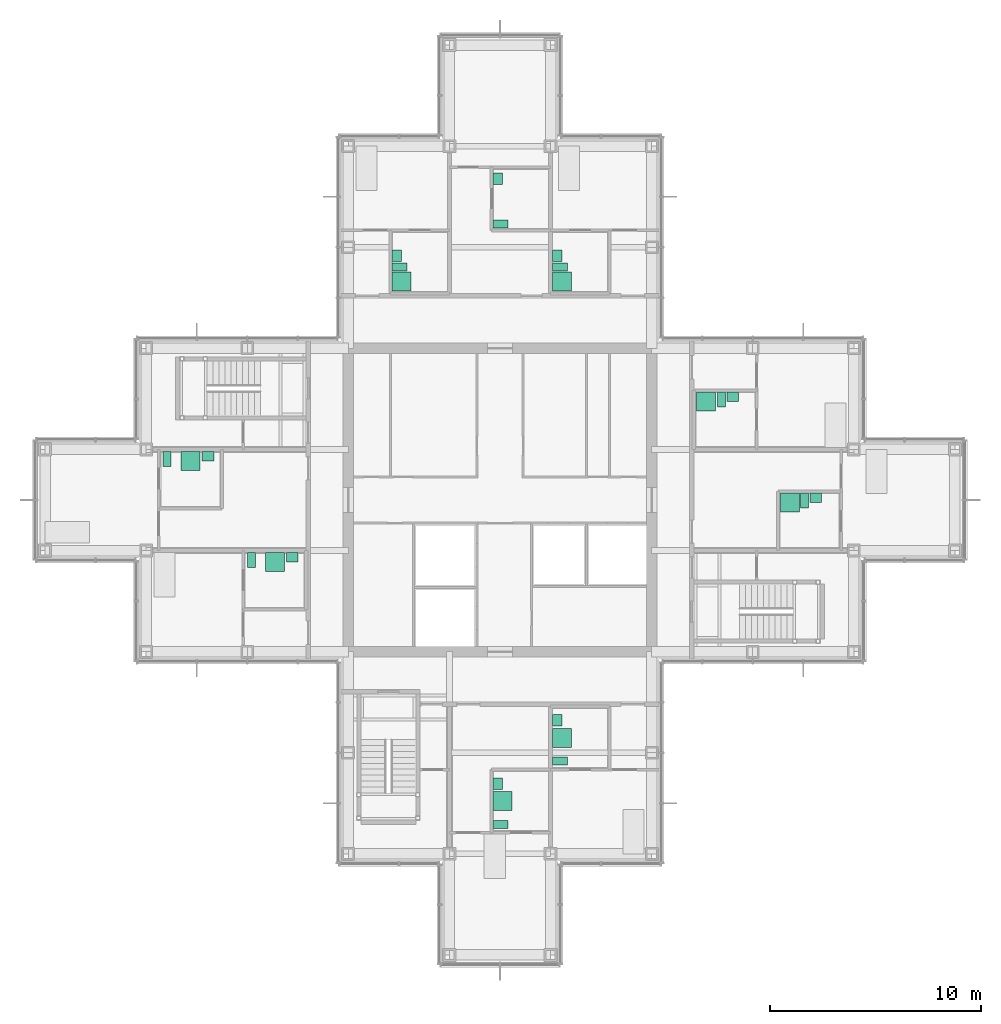
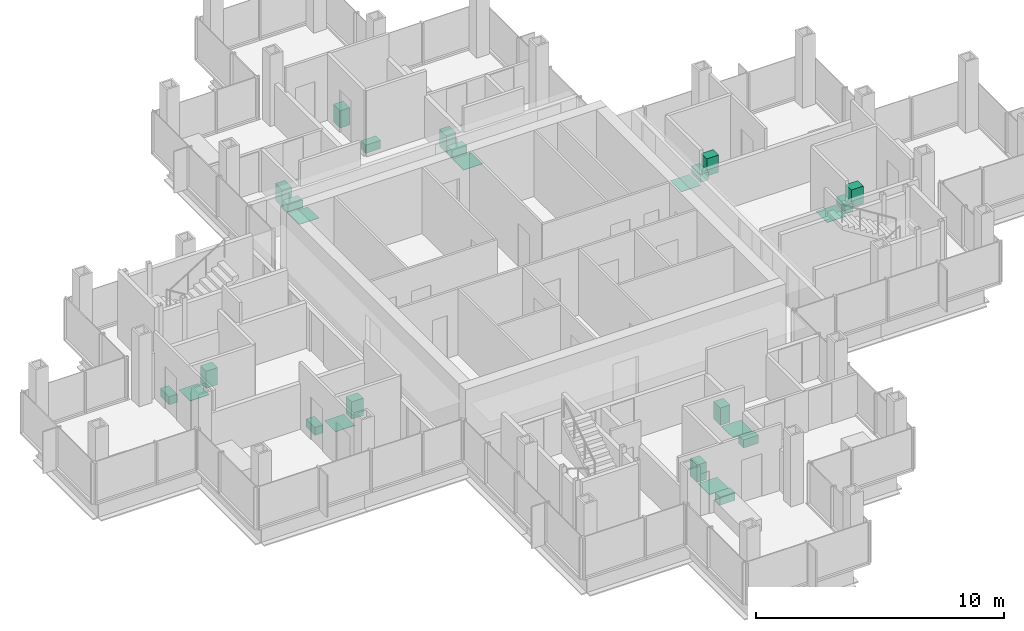
# One storey, part 16 of 17: 26 sanitary terminals.
"""IFC4 building model written with IfcOpenShell, lengths in metres."""

from ifc_helpers import new_model, si_unit, direction, frame, origin, origin_2d, place, context, subcontext, project, spatial, rectangle, extrude, material, type_object, element, save


model = new_model("IFC4")

# Units and contexts
model_context = context("Model", 3, precision=1e-05, world=origin(), true_north=direction((0.0, 1.0)))
body_context = subcontext(model_context, "Body", "Model", "MODEL_VIEW")
ifc_project = project(units=[si_unit("LENGTHUNIT", "METRE"), si_unit("AREAUNIT", "SQUARE_METRE"), si_unit("VOLUMEUNIT", "CUBIC_METRE"), si_unit("PLANEANGLEUNIT", "RADIAN"), si_unit("MASSUNIT", "GRAM", prefix="KILO")], contexts=[model_context])

# Site, building, storey
site_placement = place(None, origin())
site = spatial("IfcSite", under=ifc_project, at=site_placement, CompositionType="ELEMENT")
building_placement = place(site_placement, origin())
building = spatial("IfcBuilding", under=site, at=building_placement, Name="Kvirike Care Tower", CompositionType="ELEMENT")
storey_placement = place(building_placement, frame((0.0, 0.0, 186.5)))
storey = spatial("IfcBuildingStorey", under=building, at=storey_placement, Name="L51", CompositionType="ELEMENT", Elevation=186.5)

# Sanitary terminals
ifc_material_1 = material(Name="Stainless steel", Category="steel")
sanitary_terminal_type_1 = type_object("IfcSanitaryTerminalType", Name="LEVEL-ACCESS SHOWER 900 x 900", PredefinedType="SHOWER", material=ifc_material_1)
for number, where, z_axis, x_axis, name in (
    (1, (6.909912109375, 37.847900390625, 0.02001953125), (0.0, 0.0, 1.0), (1.0, 0.0, 0.0), "Level-access shower L51-006"),
    (2, (10.909912109375, 33.048095703125, 0.02001953125), (0.0, 0.0, 1.0), (1.0, 0.0, 0.0), "Level-access shower L51-009"),
    (3, (21.72705078125, 21.7099609375, 0.02001953125), (0.0, 0.0, 1.0), (0.0, 1.0, 0.0), "Level-access shower L51-016"),
    (4, (24.552001953125, 24.7099609375, 0.02001953125), (0.0, 0.0, 1.0), (0.0, 1.0, 0.0), "Level-access shower L51-019"),
    (5, (24.552001953125, 46.375, 0.02001953125), (0.0, 0.0, 1.0), (0.0, 1.0, 0.0), "Level-access shower L51-023"),
    (6, (16.927001953125, 46.375, 0.02001953125), (0.0, 0.0, 1.0), (0.0, 1.0, 0.0), "Level-access shower L51-029"),
    (7, (35.375, 35.873046875, 0.02001953125), (0.0, 0.0, 1.0), (1.0, 0.0, 0.0), "Level-access shower L51-036"),
    (8, (31.375, 40.673095703125, 0.02001953125), (0.0, 0.0, 1.0), (1.0, 0.0, 0.0), "Level-access shower L51-039"),
):
    element("IfcSanitaryTerminal", number, at=place(storey_placement, frame(where, z_axis=z_axis, x_axis=x_axis)), inside=storey, type_object=sanitary_terminal_type_1, Name=name, PredefinedType="SHOWER", context=body_context, shape_type="SweptSolid", body=[
        extrude(rectangle(XDim=0.89990234375, YDim=0.89990234375, at=origin_2d()), origin(), (0.0, 0.0, 1.0), 0.02001953125),
    ])
ifc_material_2 = material(Name="Vitreous china", Category="ceramic")
sanitary_terminal_type_2 = type_object("IfcSanitaryTerminalType", Name="WASH BASIN 550 x 450", PredefinedType="WASHHANDBASIN", material=ifc_material_2)
for number, where, z_axis, x_axis, name in (
    (9, (7.735107421875, 38.072998046875, 0.02001953125), (0.0, 0.0, 1.0), (1.0, 0.0, 0.0), "Wash basin L51-006"),
    (10, (11.735107421875, 33.27294921875, 0.02001953125), (0.0, 0.0, 1.0), (1.0, 0.0, 0.0), "Wash basin L51-009"),
    (11, (21.501953125, 22.534912109375, 0.02001953125), (0.0, 0.0, 1.0), (0.0, 1.0, 0.0), "Wash basin L51-016"),
    (12, (24.326904296875, 25.534912109375, 0.02001953125), (0.0, 0.0, 1.0), (0.0, 1.0, 0.0), "Wash basin L51-019"),
    (13, (24.326904296875, 47.60009765625, 0.02001953125), (0.0, 0.0, 1.0), (0.0, 1.0, 0.0), "Wash basin L51-023"),
    (14, (21.501953125, 51.25, 0.02001953125), (0.0, 0.0, 1.0), (0.0, 1.0, 0.0), "Wash basin L51-026"),
    (15, (16.701904296875, 47.60009765625, 0.02001953125), (0.0, 0.0, 1.0), (0.0, 1.0, 0.0), "Wash basin L51-029"),
    (16, (36.60009765625, 36.097900390625, 0.02001953125), (0.0, 0.0, 1.0), (1.0, 0.0, 0.0), "Wash basin L51-036"),
    (17, (32.64990234375, 40.89794921875, 0.02001953125), (0.0, 0.0, 1.0), (1.0, 0.0, 0.0), "Wash basin L51-039"),
):
    element("IfcSanitaryTerminal", number, at=place(storey_placement, frame(where, z_axis=z_axis, x_axis=x_axis)), inside=storey, type_object=sanitary_terminal_type_2, Name=name, PredefinedType="WASHHANDBASIN", context=body_context, shape_type="SweptSolid", body=[
        extrude(rectangle(XDim=0.550048828125, YDim=0.449951171875, at=origin_2d()), origin(), (0.0, 0.0, 1.0), 0.85009765625),
    ])
ifc_material_3 = material(Name="Vitreous china", Category="ceramic")
sanitary_terminal_type_3 = type_object("IfcSanitaryTerminalType", Name="WC PAN 380 x 700", PredefinedType="TOILETPAN", material=ifc_material_3)
for number, where, z_axis, x_axis, name in (
    (18, (5.800048828125, 37.947998046875, 0.02001953125), (0.0, 0.0, 1.0), (1.0, 0.0, 0.0), "WC pan L51-006"),
    (19, (9.800048828125, 33.14794921875, 0.02001953125), (0.0, 0.0, 1.0), (1.0, 0.0, 0.0), "WC pan L51-009"),
    (20, (21.626953125, 20.60009765625, 0.02001953125), (0.0, 0.0, 1.0), (0.0, 1.0, 0.0), "WC pan L51-016"),
    (21, (24.451904296875, 23.60009765625, 0.02001953125), (0.0, 0.0, 1.0), (0.0, 1.0, 0.0), "WC pan L51-019"),
    (22, (24.451904296875, 47.06494140625, 0.02001953125), (0.0, 0.0, 1.0), (0.0, 1.0, 0.0), "WC pan L51-023"),
    (23, (21.626953125, 49.114990234375, 0.02001953125), (0.0, 0.0, 1.0), (0.0, 1.0, 0.0), "WC pan L51-026"),
    (24, (16.826904296875, 47.06494140625, 0.02001953125), (0.0, 0.0, 1.0), (0.0, 1.0, 0.0), "WC pan L51-029"),
    (25, (36.06494140625, 35.972900390625, 0.02001953125), (0.0, 0.0, 1.0), (1.0, 0.0, 0.0), "WC pan L51-036"),
    (26, (32.114990234375, 40.77294921875, 0.02001953125), (0.0, 0.0, 1.0), (1.0, 0.0, 0.0), "WC pan L51-039"),
):
    element("IfcSanitaryTerminal", number, at=place(storey_placement, frame(where, z_axis=z_axis, x_axis=x_axis)), inside=storey, type_object=sanitary_terminal_type_3, Name=name, PredefinedType="TOILETPAN", context=body_context, shape_type="SweptSolid", body=[
        extrude(rectangle(XDim=0.3798828125, YDim=0.699951171875, at=origin_2d()), origin(), (0.0, 0.0, 1.0), 0.39990234375),
    ])

save(model, "model.ifc")
